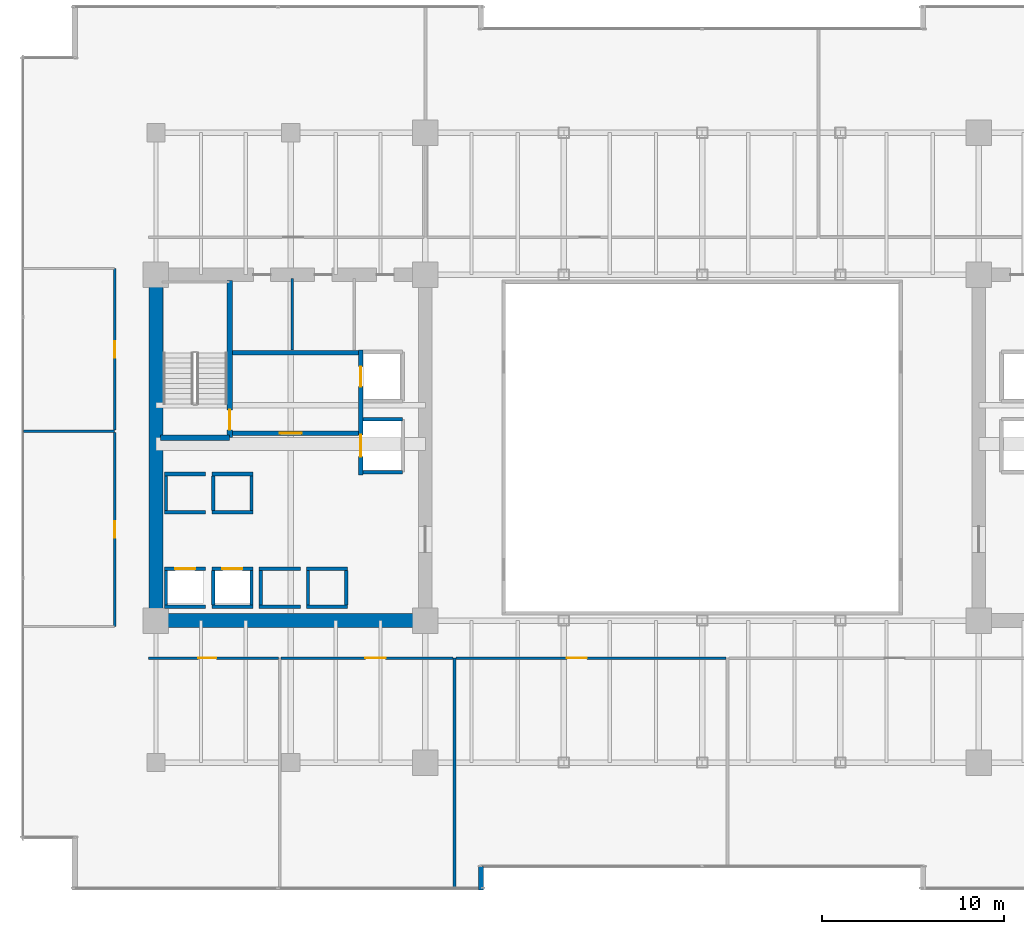
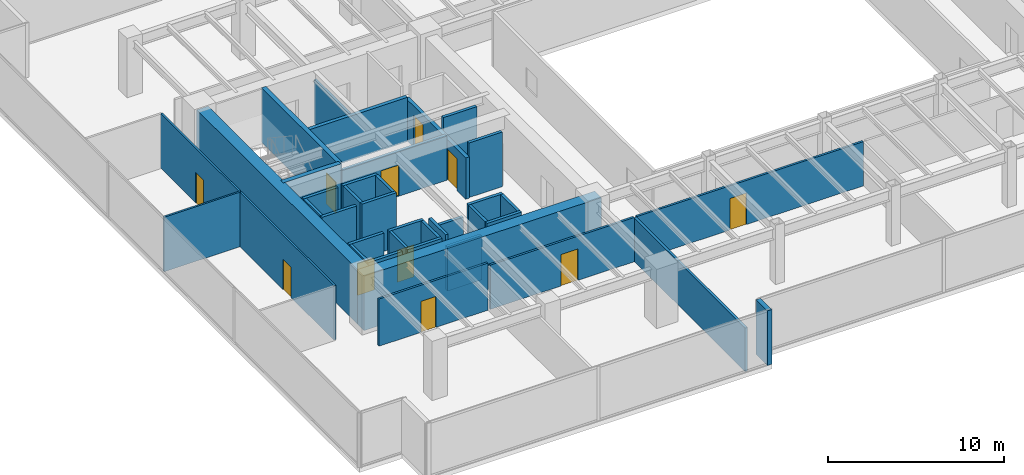
# One storey, part 29 of 35: 39 walls, 11 doors, 11 openings.
"""IFC4 building model written with IfcOpenShell, lengths in metres."""

from ifc_helpers import new_model, si_unit, direction, frame, frame_2d, origin, place, context, subcontext, project, spatial, rectangle, extrude, source, transform, mapped, material, layer, layer_set, type_object, type_shapes, element, fill, save


model = new_model("IFC4")

# Units and contexts
model_context = context("Model", 3, precision=1e-05, world=origin(), true_north=direction((0.0, 1.0)))
body_context = subcontext(model_context, "Body", "Model", "MODEL_VIEW")
ifc_project = project(units=[si_unit("LENGTHUNIT", "METRE"), si_unit("AREAUNIT", "SQUARE_METRE"), si_unit("VOLUMEUNIT", "CUBIC_METRE"), si_unit("PLANEANGLEUNIT", "RADIAN"), si_unit("MASSUNIT", "GRAM", prefix="KILO")], contexts=[model_context])

# Site, building, storey
site_placement = place(None, origin())
site = spatial("IfcSite", under=ifc_project, at=site_placement, CompositionType="ELEMENT")
building_placement = place(site_placement, origin())
building = spatial("IfcBuilding", under=site, at=building_placement, Name="Haelvirn Gate Laboratories", CompositionType="ELEMENT")
storey_placement = place(building_placement, frame((0.0, 0.0, 45.699951171875)))
storey = spatial("IfcBuildingStorey", under=building, at=storey_placement, Name="L11", CompositionType="ELEMENT", Elevation=45.699951171875)

# Walls
ifc_material_1 = material(Name="Thermally-broken bronze aluminium rainscreen & mineral wool", Category="aluminium")
ifc_layer_1 = layer(ifc_material_1, 0.280029296875, Name="EW-TERR-280")
ifc_layer_set_1 = layer_set([ifc_layer_1], Name="Thermally-broken bronze aluminium rainscreen & mineral wool")
wall_type_1 = type_object("IfcWallType", Name="EW-TERR-280", PredefinedType="STANDARD", material=ifc_layer_set_1)
wall_1_placement = place(storey_placement, frame((25.260009765625, 0.0, 0.0), z_axis=(0.0, 0.0, 1.0), x_axis=(0.0, 1.0, 0.0)))
element("IfcWall", 1, at=wall_1_placement, inside=storey, type_object=wall_type_1, Name="L11 Atrium Recess Bronze Return Wall 01", PredefinedType="STANDARD", context=body_context, shape_type="SweptSolid", body=[
    extrude(rectangle(XDim=1.2880859375, YDim=0.280029296875, at=frame_2d((0.64404296875, 0.0))), origin(), (0.0, 0.0, 1.0), 3.780029296875),
])
ifc_material_2 = material(Name="Double-layer acoustic gypsum laboratory partition", Category="gypsum")
ifc_layer_2 = layer(ifc_material_2, 0.159912109375, Name="IW-ACOUST-160")
ifc_layer_set_2 = layer_set([ifc_layer_2], Name="Double-layer acoustic gypsum laboratory partition")
wall_type_2 = type_object("IfcWallType", Name="IW-ACOUST-160", PredefinedType="PARTITIONING", material=ifc_layer_set_2)
wall_2_placement = place(storey_placement, frame((23.800048828125, 0.110107421875, 0.0), z_axis=(0.0, 0.0, 1.0), x_axis=(0.0, 1.0, 0.0)))
element("IfcWall", 2, at=wall_2_placement, inside=storey, type_object=wall_type_2, Name="L11 Interior Wall IW-L11-SDIV-02", PredefinedType="PARTITIONING", context=body_context, shape_type="SweptSolid", body=[
    extrude(rectangle(XDim=12.6298828125, YDim=0.159912109375, at=frame_2d((6.31494140625, 0.0))), origin(), (0.0, 0.0, 1.0), 3.01513671875),
])

# Wall, opening, door
ifc_material_3 = material(Name="Lightweight acoustic gypsum board partition", Category="gypsum")
ifc_layer_3 = layer(ifc_material_3, 0.1201171875, Name="IW-PART-120")
ifc_layer_set_3 = layer_set([ifc_layer_3], Name="Lightweight acoustic gypsum board partition")
wall_type_3 = type_object("IfcWallType", Name="IW-PART-120", PredefinedType="PARTITIONING", material=ifc_layer_set_3)
wall_3_placement = place(storey_placement, frame((5.1298828125, 14.465087890625, 0.0), z_axis=(0.0, 0.0, 1.0), x_axis=(0.0, 1.0, 0.0)))
wall_3 = element("IfcWall", 3, at=wall_3_placement, inside=storey, type_object=wall_type_3, Name="L11 Interior Wall IW-L11-WPASS-01", PredefinedType="PARTITIONING", context=body_context, shape_type="SweptSolid", body=[
    extrude(rectangle(XDim=10.6748046875, YDim=0.1201171875, at=frame_2d((5.33740234375, 0.0))), origin(), (0.0, 0.0, 1.0), 3.780029296875),
])
opening_1_placement = place(wall_3_placement, frame((4.887451171875, 0.0, 0.0)))
opening_1 = element("IfcOpeningElement", 4, at=opening_1_placement, cuts=wall_3, Name="Opening D4", PredefinedType="OPENING", context=body_context, shape_type="SweptSolid", body=[
    extrude(rectangle(XDim=0.89990234375, YDim=2.10009765625, at=frame_2d((0.449951171875, 1.050048828125))), frame((0.0, 0.070068359375, 0.0), z_axis=(0.0, -1.0, 0.0), x_axis=(1.0, 0.0, 0.0)), (0.0, 0.0, 1.0), 0.14013671875),
])
ifc_material_4 = material(Name="Glazed aluminium-framed write-up door", Category="aluminium")
door_type_1 = type_object("IfcDoorType", Name="DR-OFF-900", OperationType="NOTDEFINED", PredefinedType="DOOR", material=ifc_material_4)
shared_shape_1 = source(origin(), body_context, "Body", "SweptSolid", [
    extrude(rectangle(XDim=0.89990234375, YDim=2.10009765625, at=frame_2d((0.449951171875, 1.050048828125))), frame((0.0, 0.02490234375, 0.0), z_axis=(0.0, -1.0, 0.0), x_axis=(1.0, 0.0, 0.0)), (0.0, 0.0, 1.0), 0.050048828125),
])
type_shapes(door_type_1, [shared_shape_1])
door_1_placement = place(opening_1_placement, origin())
door_1 = element("IfcDoor", 5, at=door_1_placement, inside=storey, type_object=door_type_1, Name="L11 Researcher Break Pantry Door W1", OperationType="SINGLE_SWING_LEFT", OverallHeight=2.10009765625, OverallWidth=0.89990234375, PredefinedType="DOOR", context=body_context, shape_type="MappedRepresentation", body=[
    mapped(shared_shape_1, transform((0.0, 0.0, 0.0), scale=1.0)),
])
fill(opening_1, door_1)

# Wall
wall_4_placement = place(storey_placement, frame((0.110107421875, 25.199951171875, 0.0), z_axis=(0.0, 0.0, 1.0), x_axis=(1.0, 0.0, 0.0)))
element("IfcWall", 6, at=wall_4_placement, inside=storey, type_object=wall_type_3, Name="L11 Interior Wall IW-L11-WDIV-01", PredefinedType="PARTITIONING", context=body_context, shape_type="SweptSolid", body=[
    extrude(rectangle(XDim=5.019775390625, YDim=0.1201171875, at=frame_2d((2.509765625, 0.0))), origin(), (0.0, 0.0, 1.0), 3.780029296875),
])

# Wall, opening, door
wall_5_placement = place(storey_placement, frame((5.1298828125, 25.260009765625, 0.0), z_axis=(0.0, 0.0, 1.0), x_axis=(0.0, 1.0, 0.0)))
wall_5 = element("IfcWall", 7, at=wall_5_placement, inside=storey, type_object=wall_type_3, Name="L11 Interior Wall IW-L11-WPASS-02", PredefinedType="PARTITIONING", context=body_context, shape_type="SweptSolid", body=[
    extrude(rectangle(XDim=8.875, YDim=0.1201171875, at=frame_2d((4.4375, 0.0))), origin(), (0.0, 0.0, 1.0), 3.780029296875),
])
opening_2_placement = place(wall_5_placement, frame((3.987548828125, 0.0, 0.0)))
opening_2 = element("IfcOpeningElement", 8, at=opening_2_placement, cuts=wall_5, Name="Opening D4", PredefinedType="OPENING", context=body_context, shape_type="SweptSolid", body=[
    extrude(rectangle(XDim=0.89990234375, YDim=2.10009765625, at=frame_2d((0.449951171875, 1.050048828125))), frame((0.0, 0.070068359375, 0.0), z_axis=(0.0, -1.0, 0.0), x_axis=(1.0, 0.0, 0.0)), (0.0, 0.0, 1.0), 0.14013671875),
])
door_2_placement = place(opening_2_placement, origin())
door_2 = element("IfcDoor", 9, at=door_2_placement, inside=storey, type_object=door_type_1, Name="L11 Floor Hydration & Tea Servery Door W2", OperationType="SINGLE_SWING_RIGHT", OverallHeight=2.10009765625, OverallWidth=0.89990234375, PredefinedType="DOOR", context=body_context, shape_type="MappedRepresentation", body=[
    mapped(shared_shape_1, transform((0.0, 0.0, 0.0), scale=1.0)),
])
fill(opening_2, door_2)

ifc_material_5 = material(Name="Acoustic mineral-wool gypsum board partition", Category="gypsum")
ifc_layer_4 = layer(ifc_material_5, 0.139892578125, Name="IW-PART-140")
ifc_layer_set_4 = layer_set([ifc_layer_4], Name="Acoustic mineral-wool gypsum board partition")
wall_type_4 = type_object("IfcWallType", Name="IW-PART-140", PredefinedType="PARTITIONING", material=ifc_layer_set_4)
wall_6_placement = place(storey_placement, frame((6.97998046875, 12.739990234375, 0.0), z_axis=(0.0, 0.0, 1.0), x_axis=(1.0, 0.0, 0.0)))
wall_6 = element("IfcWall", 10, at=wall_6_placement, inside=storey, type_object=wall_type_4, Name="L11 Interior Wall IW-L11-SCORR-01", PredefinedType="PARTITIONING", context=body_context, shape_type="SweptSolid", body=[
    extrude(rectangle(XDim=7.14013671875, YDim=0.139892578125, at=frame_2d((3.570068359375, 0.0))), origin(), (0.0, 0.0, 1.0), 3.26513671875),
])
opening_3_placement = place(wall_6_placement, frame((2.74365234375, 0.0, 0.0)))
opening_3 = element("IfcOpeningElement", 11, at=opening_3_placement, cuts=wall_6, Name="Opening D2", PredefinedType="OPENING", context=body_context, shape_type="SweptSolid", body=[
    extrude(rectangle(XDim=1.0, YDim=2.14990234375, at=frame_2d((0.5, 1.074951171875))), frame((0.0, 0.080078125, 0.0), z_axis=(0.0, -1.0, 0.0), x_axis=(1.0, 0.0, 0.0)), (0.0, 0.0, 1.0), 0.159912109375),
])
ifc_material_6 = material(Name="Acoustic solid-core timber suite door", Category="wood")
door_type_2 = type_object("IfcDoorType", Name="DR-INT-1000", OperationType="NOTDEFINED", PredefinedType="DOOR", material=ifc_material_6)
shared_shape_2 = source(origin(), body_context, "Body", "SweptSolid", [
    extrude(rectangle(XDim=1.0, YDim=2.14990234375, at=frame_2d((0.5, 1.074951171875))), frame((0.0, 0.02490234375, 0.0), z_axis=(0.0, -1.0, 0.0), x_axis=(1.0, 0.0, 0.0)), (0.0, 0.0, 1.0), 0.050048828125),
])
type_shapes(door_type_2, [shared_shape_2])
door_3_placement = place(opening_3_placement, origin())
door_3 = element("IfcDoor", 12, at=door_3_placement, inside=storey, type_object=door_type_2, Name="L11 Translational Data Office Door S1", OperationType="SINGLE_SWING_RIGHT", OverallHeight=2.14990234375, OverallWidth=1.0, PredefinedType="DOOR", context=body_context, shape_type="MappedRepresentation", body=[
    mapped(shared_shape_2, transform((0.0, 0.0, 0.0), scale=1.0)),
])
fill(opening_3, door_3)

wall_7_placement = place(storey_placement, frame((14.280029296875, 12.739990234375, 0.0), z_axis=(0.0, 0.0, 1.0), x_axis=(1.0, 0.0, 0.0)))
wall_7 = element("IfcWall", 13, at=wall_7_placement, inside=storey, type_object=wall_type_4, Name="L11 Interior Wall IW-L11-SCORR-02", PredefinedType="PARTITIONING", context=body_context, shape_type="SweptSolid", body=[
    extrude(rectangle(XDim=9.43994140625, YDim=0.139892578125, at=frame_2d((4.719970703125, 0.0))), origin(), (0.0, 0.0, 1.0), 3.06494140625),
])
opening_4_placement = place(wall_7_placement, frame((4.62841796875, 0.0, 0.0)))
opening_4 = element("IfcOpeningElement", 14, at=opening_4_placement, cuts=wall_7, Name="Opening D1", PredefinedType="OPENING", context=body_context, shape_type="SweptSolid", body=[
    extrude(rectangle(XDim=1.10009765625, YDim=2.179931640625, at=frame_2d((0.550048828125, 1.08984375))), frame((0.0, 0.080078125, 0.0), z_axis=(0.0, -1.0, 0.0), x_axis=(1.0, 0.0, 0.0)), (0.0, 0.0, 1.0), 0.159912109375),
])
ifc_material_7 = material(Name="Vision-panel acoustic solid-core timber lab door", Category="wood")
door_type_3 = type_object("IfcDoorType", Name="DR-LAB-1100", OperationType="NOTDEFINED", PredefinedType="DOOR", material=ifc_material_7)
shared_shape_3 = source(origin(), body_context, "Body", "SweptSolid", [
    extrude(rectangle(XDim=1.10009765625, YDim=2.179931640625, at=frame_2d((0.550048828125, 1.08984375))), frame((0.0, 0.02490234375, 0.0), z_axis=(0.0, -1.0, 0.0), x_axis=(1.0, 0.0, 0.0)), (0.0, 0.0, 1.0), 0.050048828125),
])
type_shapes(door_type_3, [shared_shape_3])
door_4_placement = place(opening_4_placement, origin())
door_4 = element("IfcDoor", 15, at=door_4_placement, inside=storey, type_object=door_type_3, Name="L11 Computational Write-Up Office Door S2", OperationType="SINGLE_SWING_LEFT", OverallHeight=2.179931640625, OverallWidth=1.10009765625, PredefinedType="DOOR", context=body_context, shape_type="MappedRepresentation", body=[
    mapped(shared_shape_3, transform((0.0, 0.0, 0.0), scale=1.0)),
])
fill(opening_4, door_4)

wall_8_placement = place(storey_placement, frame((23.8798828125, 12.739990234375, 0.0), z_axis=(0.0, 0.0, 1.0), x_axis=(1.0, 0.0, 0.0)))
wall_8 = element("IfcWall", 16, at=wall_8_placement, inside=storey, type_object=wall_type_4, Name="L11 Interior Wall IW-L11-SCORR-03", PredefinedType="PARTITIONING", context=body_context, shape_type="SweptSolid", body=[
    extrude(rectangle(XDim=14.840087890625, YDim=0.139892578125, at=frame_2d((7.419921875, 0.0))), origin(), (0.0, 0.0, 1.0), 3.06494140625),
])
opening_5_placement = place(wall_8_placement, frame((6.087646484375, 0.0, 0.0)))
opening_5 = element("IfcOpeningElement", 17, at=opening_5_placement, cuts=wall_8, Name="Opening D1", PredefinedType="OPENING", context=body_context, shape_type="SweptSolid", body=[
    extrude(rectangle(XDim=1.10009765625, YDim=2.179931640625, at=frame_2d((0.550048828125, 1.08984375))), frame((0.0, 0.080078125, 0.0), z_axis=(0.0, -1.0, 0.0), x_axis=(1.0, 0.0, 0.0)), (0.0, 0.0, 1.0), 0.159912109375),
])
door_5_placement = place(opening_5_placement, origin())
door_5 = element("IfcDoor", 18, at=door_5_placement, inside=storey, type_object=door_type_3, Name="L11 Bioinformatics Dry-Lab Workspace Door S3", OperationType="SINGLE_SWING_RIGHT", OverallHeight=2.179931640625, OverallWidth=1.10009765625, PredefinedType="DOOR", context=body_context, shape_type="MappedRepresentation", body=[
    mapped(shared_shape_3, transform((0.0, 0.0, 0.0), scale=1.0)),
])
fill(opening_5, door_5)

# Walls
ifc_material_8 = material(Name="Cement-board restroom plumbing chase wall", Category="gypsum")
ifc_layer_5 = layer(ifc_material_8, 0.155029296875, Name="IW-PLUMB-160")
ifc_layer_set_5 = layer_set([ifc_layer_5], Name="Cement-board restroom plumbing chase wall")
wall_type_5 = type_object("IfcWallType", Name="IW-PLUMB-160", PredefinedType="PLUMBINGWALL", material=ifc_layer_set_5)
wall_9_placement = place(storey_placement, frame((14.889892578125, 29.64990234375, 0.0), z_axis=(0.0, 0.0, 1.0), x_axis=(0.0, 1.0, 0.0)))
element("IfcWall", 19, at=wall_9_placement, inside=storey, type_object=wall_type_5, Name="L11 Interior Wall IW-L11-W-CDIV-1", PredefinedType="PLUMBINGWALL", context=body_context, shape_type="SweptSolid", body=[
    extrude(rectangle(XDim=3.93017578125, YDim=0.155029296875, at=frame_2d((1.965087890625, 0.0))), origin(), (0.0, 0.0, 1.0), 3.06494140625),
])
ifc_material_9 = material(Name="Concrete C40/50", Category="concrete")
ifc_layer_6 = layer(ifc_material_9, 0.179931640625, Name="IW-SHAFT-180")
ifc_layer_set_6 = layer_set([ifc_layer_6], Name="Concrete C40/50")
wall_type_6 = type_object("IfcWallType", Name="IW-SHAFT-180", PredefinedType="SOLIDWALL", material=ifc_layer_set_6)
for number, where, z_axis, x_axis, name in (
    (20, (7.949951171875, 15.64990234375, 0.0), (0.0, 0.0, 1.0), (0.0, 1.0, 0.0), "L11 Interior Wall IW-L11-PL1-SD"),
    (21, (10.550048828125, 15.64990234375, 0.0), (0.0, 0.0, 1.0), (0.0, 1.0, 0.0), "L11 Interior Wall IW-L11-PL2-SD"),
    (22, (12.64990234375, 15.64990234375, 0.0), (0.0, 0.0, 1.0), (0.0, 1.0, 0.0), "L11 Interior Wall IW-L11-PL2-SDE"),
    (23, (13.14990234375, 15.64990234375, 0.0), (0.0, 0.0, 1.0), (0.0, 1.0, 0.0), "L11 Interior Wall IW-L11-PL5-SD"),
    (24, (15.75, 15.64990234375, 0.0), (0.0, 0.0, 1.0), (0.0, 1.0, 0.0), "L11 Interior Wall IW-L11-PL6-SD"),
    (25, (17.85009765625, 15.64990234375, 0.0), (0.0, 0.0, 1.0), (0.0, 1.0, 0.0), "L11 Interior Wall IW-L11-PL6-SDE"),
):
    element("IfcWall", number, at=place(storey_placement, frame(where, z_axis=z_axis, x_axis=x_axis)), inside=storey, type_object=wall_type_6, Name=name, PredefinedType="SOLIDWALL", context=body_context, shape_type="SweptSolid", body=[
        extrude(rectangle(XDim=1.900146484375, YDim=0.179931640625, at=frame_2d((0.9501953125, 0.0))), origin(), (0.0, 0.0, 1.0), 3.780029296875),
    ])
for number, where, z_axis, x_axis, name in (
    (26, (7.949951171875, 20.85009765625, 0.0), (0.0, 0.0, 1.0), (0.0, 1.0, 0.0), "L11 Interior Wall IW-L11-PL9-SD"),
    (27, (10.550048828125, 20.85009765625, 0.0), (0.0, 0.0, 1.0), (0.0, 1.0, 0.0), "L11 Interior Wall IW-L11-PL10-SD"),
    (28, (12.64990234375, 20.85009765625, 0.0), (0.0, 0.0, 1.0), (0.0, 1.0, 0.0), "L11 Interior Wall IW-L11-PL10-SDE"),
):
    element("IfcWall", number, at=place(storey_placement, frame(where, z_axis=z_axis, x_axis=x_axis)), inside=storey, type_object=wall_type_6, Name=name, PredefinedType="SOLIDWALL", context=body_context, shape_type="SweptSolid", body=[
        extrude(rectangle(XDim=1.89990234375, YDim=0.179931640625, at=frame_2d((0.949951171875, 0.0))), origin(), (0.0, 0.0, 1.0), 3.780029296875),
    ])

# Wall, opening, door
ifc_layer_7 = layer(ifc_material_9, 0.199951171875, Name="IW-SHAFT-200")
ifc_layer_set_7 = layer_set([ifc_layer_7], Name="Concrete C40/50")
wall_type_7 = type_object("IfcWallType", Name="IW-SHAFT-200", PredefinedType="SOLIDWALL", material=ifc_layer_set_7)
wall_10_placement = place(storey_placement, frame((7.8701171875, 17.64990234375, 0.0), z_axis=(0.0, 0.0, 1.0), x_axis=(1.0, 0.0, 0.0)))
wall_10 = element("IfcWall", 29, at=wall_10_placement, inside=storey, type_object=wall_type_7, Name="L11 Interior Wall IW-L11-PL1-FR", PredefinedType="SOLIDWALL", context=body_context, shape_type="SweptSolid", body=[
    extrude(rectangle(XDim=2.259765625, YDim=0.199951171875, at=frame_2d((1.1298828125, 0.0))), origin(), (0.0, 0.0, 1.0), 3.780029296875),
])
opening_6_placement = place(wall_10_placement, frame((0.580078125, 0.0, 0.0)))
opening_6 = element("IfcOpeningElement", 30, at=opening_6_placement, cuts=wall_10, Name="Opening LD2", PredefinedType="OPENING", context=body_context, shape_type="SweptSolid", body=[
    extrude(rectangle(XDim=1.10009765625, YDim=2.219970703125, at=frame_2d((0.550048828125, 1.10986328125))), frame((0.0, 0.10986328125, 0.0), z_axis=(0.0, -1.0, 0.0), x_axis=(1.0, 0.0, 0.0)), (0.0, 0.0, 1.0), 0.219970703125),
])
ifc_material_10 = material(Name="Bronze stainless 316L sliding lift landing door")
door_type_4 = type_object("IfcDoorType", Name="DR-LD-1100", OperationType="NOTDEFINED", PredefinedType="USERDEFINED", material=ifc_material_10)
shared_shape_4 = source(origin(), body_context, "Body", "SweptSolid", [
    extrude(rectangle(XDim=1.10009765625, YDim=2.219970703125, at=frame_2d((0.550048828125, 1.10986328125))), frame((0.0, 0.02490234375, 0.0), z_axis=(0.0, -1.0, 0.0), x_axis=(1.0, 0.0, 0.0)), (0.0, 0.0, 1.0), 0.050048828125),
])
type_shapes(door_type_4, [shared_shape_4])
door_6_placement = place(opening_6_placement, origin())
door_6 = element("IfcDoor", 31, at=door_6_placement, inside=storey, type_object=door_type_4, Name="L11 Passenger Lift PL1 Landing Door", ObjectType="LANDING_DOOR", OperationType="SLIDING_TO_LEFT", OverallHeight=2.219970703125, OverallWidth=1.10009765625, PredefinedType="USERDEFINED", context=body_context, shape_type="MappedRepresentation", body=[
    mapped(shared_shape_4, transform((0.0, 0.0, 0.0), scale=1.0)),
])
fill(opening_6, door_6)

# Wall
wall_11_placement = place(storey_placement, frame((7.8701171875, 15.550048828125, 0.0), z_axis=(0.0, 0.0, 1.0), x_axis=(1.0, 0.0, 0.0)))
element("IfcWall", 32, at=wall_11_placement, inside=storey, type_object=wall_type_7, Name="L11 Interior Wall IW-L11-PL1-BK", PredefinedType="SOLIDWALL", context=body_context, shape_type="SweptSolid", body=[
    extrude(rectangle(XDim=2.259765625, YDim=0.199951171875, at=frame_2d((1.1298828125, 0.0))), origin(), (0.0, 0.0, 1.0), 3.780029296875),
])

# Wall, opening, door
wall_12_placement = place(storey_placement, frame((10.469970703125, 17.64990234375, 0.0), z_axis=(0.0, 0.0, 1.0), x_axis=(1.0, 0.0, 0.0)))
wall_12 = element("IfcWall", 33, at=wall_12_placement, inside=storey, type_object=wall_type_7, Name="L11 Interior Wall IW-L11-PL2-FR", PredefinedType="SOLIDWALL", context=body_context, shape_type="SweptSolid", body=[
    extrude(rectangle(XDim=2.260009765625, YDim=0.199951171875, at=frame_2d((1.1298828125, 0.0))), origin(), (0.0, 0.0, 1.0), 3.780029296875),
])
opening_7_placement = place(wall_12_placement, frame((0.580078125, 0.0, 0.0)))
opening_7 = element("IfcOpeningElement", 34, at=opening_7_placement, cuts=wall_12, Name="Opening LD2", PredefinedType="OPENING", context=body_context, shape_type="SweptSolid", body=[
    extrude(rectangle(XDim=1.10009765625, YDim=2.219970703125, at=frame_2d((0.550048828125, 1.10986328125))), frame((0.0, 0.10986328125, 0.0), z_axis=(0.0, -1.0, 0.0), x_axis=(1.0, 0.0, 0.0)), (0.0, 0.0, 1.0), 0.219970703125),
])
door_7_placement = place(opening_7_placement, origin())
door_7 = element("IfcDoor", 35, at=door_7_placement, inside=storey, type_object=door_type_4, Name="L11 Passenger Lift PL2 Landing Door", ObjectType="LANDING_DOOR", OperationType="SLIDING_TO_RIGHT", OverallHeight=2.219970703125, OverallWidth=1.10009765625, PredefinedType="USERDEFINED", context=body_context, shape_type="MappedRepresentation", body=[
    mapped(shared_shape_4, transform((0.0, 0.0, 0.0), scale=1.0)),
])
fill(opening_7, door_7)

# Walls
wall_13_placement = place(storey_placement, frame((10.469970703125, 15.550048828125, 0.0), z_axis=(0.0, 0.0, 1.0), x_axis=(1.0, 0.0, 0.0)))
element("IfcWall", 36, at=wall_13_placement, inside=storey, type_object=wall_type_7, Name="L11 Interior Wall IW-L11-PL2-BK", PredefinedType="SOLIDWALL", context=body_context, shape_type="SweptSolid", body=[
    extrude(rectangle(XDim=2.260009765625, YDim=0.199951171875, at=frame_2d((1.1298828125, 0.0))), origin(), (0.0, 0.0, 1.0), 3.780029296875),
])
for number, where, z_axis, x_axis, name in (
    (37, (13.070068359375, 17.64990234375, 0.0), (0.0, 0.0, 1.0), (1.0, 0.0, 0.0), "L11 Interior Wall IW-L11-PL5-FR"),
    (38, (13.070068359375, 15.550048828125, 0.0), (0.0, 0.0, 1.0), (1.0, 0.0, 0.0), "L11 Interior Wall IW-L11-PL5-BK"),
):
    element("IfcWall", number, at=place(storey_placement, frame(where, z_axis=z_axis, x_axis=x_axis)), inside=storey, type_object=wall_type_7, Name=name, PredefinedType="SOLIDWALL", context=body_context, shape_type="SweptSolid", body=[
        extrude(rectangle(XDim=2.260009765625, YDim=0.199951171875, at=frame_2d((1.1298828125, 0.0))), origin(), (0.0, 0.0, 1.0), 3.06494140625),
    ])
for number, where, z_axis, x_axis, name in (
    (39, (15.669921875, 17.64990234375, 0.0), (0.0, 0.0, 1.0), (1.0, 0.0, 0.0), "L11 Interior Wall IW-L11-PL6-FR"),
    (40, (15.669921875, 15.550048828125, 0.0), (0.0, 0.0, 1.0), (1.0, 0.0, 0.0), "L11 Interior Wall IW-L11-PL6-BK"),
):
    element("IfcWall", number, at=place(storey_placement, frame(where, z_axis=z_axis, x_axis=x_axis)), inside=storey, type_object=wall_type_7, Name=name, PredefinedType="SOLIDWALL", context=body_context, shape_type="SweptSolid", body=[
        extrude(rectangle(XDim=2.260009765625, YDim=0.199951171875, at=frame_2d((1.1298828125, 0.0))), origin(), (0.0, 0.0, 1.0), 3.780029296875),
    ])
for number, where, z_axis, x_axis, name in (
    (41, (7.8701171875, 20.75, 0.0), (0.0, 0.0, 1.0), (1.0, 0.0, 0.0), "L11 Interior Wall IW-L11-PL9-FR"),
    (42, (7.8701171875, 22.85009765625, 0.0), (0.0, 0.0, 1.0), (1.0, 0.0, 0.0), "L11 Interior Wall IW-L11-PL9-BK"),
):
    element("IfcWall", number, at=place(storey_placement, frame(where, z_axis=z_axis, x_axis=x_axis)), inside=storey, type_object=wall_type_7, Name=name, PredefinedType="SOLIDWALL", context=body_context, shape_type="SweptSolid", body=[
        extrude(rectangle(XDim=2.259765625, YDim=0.199951171875, at=frame_2d((1.1298828125, 0.0))), origin(), (0.0, 0.0, 1.0), 3.780029296875),
    ])
for number, where, z_axis, x_axis, name in (
    (43, (10.469970703125, 20.75, 0.0), (0.0, 0.0, 1.0), (1.0, 0.0, 0.0), "L11 Interior Wall IW-L11-PL10-FR"),
    (44, (10.469970703125, 22.85009765625, 0.0), (0.0, 0.0, 1.0), (1.0, 0.0, 0.0), "L11 Interior Wall IW-L11-PL10-BK"),
):
    element("IfcWall", number, at=place(storey_placement, frame(where, z_axis=z_axis, x_axis=x_axis)), inside=storey, type_object=wall_type_7, Name=name, PredefinedType="SOLIDWALL", context=body_context, shape_type="SweptSolid", body=[
        extrude(rectangle(XDim=2.260009765625, YDim=0.199951171875, at=frame_2d((1.1298828125, 0.0))), origin(), (0.0, 0.0, 1.0), 3.780029296875),
    ])
for number, where, z_axis, x_axis, name in (
    (45, (18.760009765625, 25.85009765625, 0.0), (0.0, 0.0, 1.0), (1.0, 0.0, 0.0), "L11 Interior Wall IW-L11-SL1-N"),
    (46, (18.760009765625, 22.949951171875, 0.0), (0.0, 0.0, 1.0), (1.0, 0.0, 0.0), "L11 Interior Wall IW-L11-SL1-S"),
):
    element("IfcWall", number, at=place(storey_placement, frame(where, z_axis=z_axis, x_axis=x_axis)), inside=storey, type_object=wall_type_7, Name=name, PredefinedType="SOLIDWALL", context=body_context, shape_type="SweptSolid", body=[
        extrude(rectangle(XDim=2.18994140625, YDim=0.199951171875, at=frame_2d((1.094970703125, 0.0))), origin(), (0.0, 0.0, 1.0), 3.780029296875),
    ])

# Wall, opening, door
ifc_layer_8 = layer(ifc_material_9, 0.239990234375, Name="IW-SHAFT-240")
ifc_layer_set_8 = layer_set([ifc_layer_8], Name="Concrete C40/50")
wall_type_8 = type_object("IfcWallType", Name="IW-SHAFT-240", PredefinedType="SOLIDWALL", material=ifc_layer_set_8)
wall_14_placement = place(storey_placement, frame((11.60009765625, 25.080078125, 0.0), z_axis=(0.0, 0.0, 1.0), x_axis=(1.0, 0.0, 0.0)))
wall_14 = element("IfcWall", 47, at=wall_14_placement, inside=storey, type_object=wall_type_8, Name="L11 Interior Wall IW-L11-W-FF-S", PredefinedType="SOLIDWALL", context=body_context, shape_type="SweptSolid", body=[
    extrude(rectangle(XDim=6.919921875, YDim=0.239990234375, at=frame_2d((3.4599609375, 0.0))), origin(), (0.0, 0.0, 1.0), 3.06494140625),
])
opening_8_placement = place(wall_14_placement, frame((2.60009765625, 0.0, 0.0)))
opening_8 = element("IfcOpeningElement", 48, at=opening_8_placement, cuts=wall_14, Name="Opening FD2", PredefinedType="OPENING", context=body_context, shape_type="SweptSolid", body=[
    extrude(rectangle(XDim=1.199951171875, YDim=2.159912109375, at=frame_2d((0.60009765625, 1.080078125))), frame((0.0, 0.1298828125, 0.0), z_axis=(0.0, -1.0, 0.0), x_axis=(1.0, 0.0, 0.0)), (0.0, 0.0, 1.0), 0.260009765625),
])
ifc_material_11 = material(Name="Fire-rated steel SM355 compartment door", Category="steel")
door_type_5 = type_object("IfcDoorType", Name="DR-FD-1200", OperationType="NOTDEFINED", PredefinedType="DOOR", material=ifc_material_11)
shared_shape_5 = source(origin(), body_context, "Body", "SweptSolid", [
    extrude(rectangle(XDim=1.199951171875, YDim=2.159912109375, at=frame_2d((0.60009765625, 1.080078125))), frame((0.0, 0.02490234375, 0.0), z_axis=(0.0, -1.0, 0.0), x_axis=(1.0, 0.0, 0.0)), (0.0, 0.0, 1.0), 0.050048828125),
])
type_shapes(door_type_5, [shared_shape_5])
door_8_placement = place(opening_8_placement, origin())
door_8 = element("IfcDoor", 49, at=door_8_placement, inside=storey, type_object=door_type_5, Name="L11 West Firefighting Lobby Door", OperationType="SINGLE_SWING_RIGHT", OverallHeight=2.159912109375, OverallWidth=1.199951171875, PredefinedType="DOOR", context=body_context, shape_type="MappedRepresentation", body=[
    mapped(shared_shape_5, transform((0.0, 0.0, 0.0), scale=1.0)),
])
fill(opening_8, door_8)

# Wall
wall_15_placement = place(storey_placement, frame((11.60009765625, 29.52001953125, 0.0), z_axis=(0.0, 0.0, 1.0), x_axis=(1.0, 0.0, 0.0)))
element("IfcWall", 50, at=wall_15_placement, inside=storey, type_object=wall_type_8, Name="L11 Interior Wall IW-L11-W-FF-N", PredefinedType="SOLIDWALL", context=body_context, shape_type="SweptSolid", body=[
    extrude(rectangle(XDim=6.919921875, YDim=0.239990234375, at=frame_2d((3.4599609375, 0.0))), origin(), (0.0, 0.0, 1.0), 3.06494140625),
])

# Wall, openings, doors
wall_16_placement = place(storey_placement, frame((18.639892578125, 22.800048828125, 0.0), z_axis=(0.0, 0.0, 1.0), x_axis=(0.0, 1.0, 0.0)))
wall_16 = element("IfcWall", 51, at=wall_16_placement, inside=storey, type_object=wall_type_8, Name="L11 Interior Wall IW-L11-W-FF-E", PredefinedType="SOLIDWALL", context=body_context, shape_type="SweptSolid", body=[
    extrude(rectangle(XDim=6.849853515625, YDim=0.239990234375, at=frame_2d((3.4248046875, 0.0))), origin(), (0.0, 0.0, 1.0), 2.864990234375),
])
opening_9_placement = place(wall_16_placement, frame((4.85009765625, 0.0, 0.0)))
opening_9 = element("IfcOpeningElement", 52, at=opening_9_placement, cuts=wall_16, Name="Opening LD2", PredefinedType="OPENING", context=body_context, shape_type="SweptSolid", body=[
    extrude(rectangle(XDim=1.10009765625, YDim=2.219970703125, at=frame_2d((0.550048828125, 1.10986328125))), frame((0.0, 0.1298828125, 0.0), z_axis=(0.0, -1.0, 0.0), x_axis=(1.0, 0.0, 0.0)), (0.0, 0.0, 1.0), 0.260009765625),
])
opening_10_placement = place(wall_16_placement, frame((1.0, 0.0, 0.0)))
opening_10 = element("IfcOpeningElement", 53, at=opening_10_placement, cuts=wall_16, Name="Opening LD1", PredefinedType="OPENING", context=body_context, shape_type="SweptSolid", body=[
    extrude(rectangle(XDim=1.199951171875, YDim=2.219970703125, at=frame_2d((0.60009765625, 1.10986328125))), frame((0.0, 0.1298828125, 0.0), z_axis=(0.0, -1.0, 0.0), x_axis=(1.0, 0.0, 0.0)), (0.0, 0.0, 1.0), 0.260009765625),
])
door_9_placement = place(opening_9_placement, origin())
door_9 = element("IfcDoor", 54, at=door_9_placement, inside=storey, type_object=door_type_4, Name="L11 Firefighting Lift FL1 Landing Door", ObjectType="LANDING_DOOR", OperationType="SLIDING_TO_LEFT", OverallHeight=2.219970703125, OverallWidth=1.10009765625, PredefinedType="USERDEFINED", context=body_context, shape_type="MappedRepresentation", body=[
    mapped(shared_shape_4, transform((0.0, 0.0, 0.0), scale=1.0)),
])
fill(opening_9, door_9)
ifc_material_12 = material(Name="Stainless steel 316L sliding goods landing door", Category="steel")
door_type_6 = type_object("IfcDoorType", Name="DR-LD-1200", OperationType="NOTDEFINED", PredefinedType="USERDEFINED", material=ifc_material_12)
shared_shape_6 = source(origin(), body_context, "Body", "SweptSolid", [
    extrude(rectangle(XDim=1.199951171875, YDim=2.219970703125, at=frame_2d((0.60009765625, 1.10986328125))), frame((0.0, 0.02490234375, 0.0), z_axis=(0.0, -1.0, 0.0), x_axis=(1.0, 0.0, 0.0)), (0.0, 0.0, 1.0), 0.050048828125),
])
type_shapes(door_type_6, [shared_shape_6])
door_10_placement = place(opening_10_placement, origin())
door_10 = element("IfcDoor", 55, at=door_10_placement, inside=storey, type_object=door_type_6, Name="L11 Service Lift SL1 Landing Door", ObjectType="LANDING_DOOR", OperationType="SLIDING_TO_RIGHT", OverallHeight=2.219970703125, OverallWidth=1.199951171875, PredefinedType="USERDEFINED", context=body_context, shape_type="MappedRepresentation", body=[
    mapped(shared_shape_6, transform((0.0, 0.0, 0.0), scale=1.0)),
])
fill(opening_10, door_10)

# Walls
ifc_material_13 = material(Name="Concrete C70/85", Category="concrete")
ifc_layer_9 = layer(ifc_material_13, 0.75, Name="SW-CORE-750")
ifc_layer_set_9 = layer_set([ifc_layer_9], Name="Concrete C70/85")
wall_type_9 = type_object("IfcWallType", Name="SW-CORE-750", PredefinedType="SHEAR", material=ifc_layer_set_9)
wall_17_placement = place(storey_placement, frame((7.02490234375, 14.800048828125, 0.0), z_axis=(0.0, 0.0, 1.0), x_axis=(1.0, 0.0, 0.0)))
element("IfcWall", 56, at=wall_17_placement, inside=storey, type_object=wall_type_9, Name="L11 W Core Shear Wall S", PredefinedType="SHEAR", context=body_context, shape_type="SweptSolid", body=[
    extrude(rectangle(XDim=15.550048828125, YDim=0.75, at=frame_2d((7.77490234375, 0.0))), origin(), (0.0, 0.0, 1.0), 3.780029296875),
])
wall_18_placement = place(storey_placement, frame((7.39990234375, 15.175048828125, 0.0), z_axis=(0.0, 0.0, 1.0), x_axis=(0.0, 1.0, 0.0)))
element("IfcWall", 57, at=wall_18_placement, inside=storey, type_object=wall_type_9, Name="L11 W Core Shear Wall W", PredefinedType="SHEAR", context=body_context, shape_type="SweptSolid", body=[
    extrude(rectangle(XDim=18.25, YDim=0.75, at=frame_2d((9.125, 0.0))), origin(), (0.0, 0.0, 1.0), 3.780029296875),
])

# Wall, opening, door
ifc_material_14 = material(Name="Concrete C50/60", Category="concrete")
ifc_layer_10 = layer(ifc_material_14, 0.300048828125, Name="SW-STAIR-300")
ifc_layer_set_10 = layer_set([ifc_layer_10], Name="Concrete C50/60")
wall_type_10 = type_object("IfcWallType", Name="SW-STAIR-300", PredefinedType="SHEAR", material=ifc_layer_set_10)
wall_19_placement = place(storey_placement, frame((11.449951171875, 24.85009765625, 0.0), z_axis=(0.0, 0.0, 1.0), x_axis=(0.0, 1.0, 0.0)))
wall_19 = element("IfcWall", 58, at=wall_19_placement, inside=storey, type_object=wall_type_10, Name="L11 W Core Stair Shaft Structural Wall IN", PredefinedType="SHEAR", context=body_context, shape_type="SweptSolid", body=[
    extrude(rectangle(XDim=8.6298828125, YDim=0.300048828125, at=frame_2d((4.31494140625, 0.0))), origin(), (0.0, 0.0, 1.0), 3.780029296875),
])
opening_11_placement = place(wall_19_placement, frame((0.419921875, 0.0, 0.0)))
opening_11 = element("IfcOpeningElement", 59, at=opening_11_placement, cuts=wall_19, Name="Opening FD3", PredefinedType="OPENING", context=body_context, shape_type="SweptSolid", body=[
    extrude(rectangle(XDim=1.10009765625, YDim=2.14990234375, at=frame_2d((0.550048828125, 1.074951171875))), frame((0.0, 0.16015625, 0.0), z_axis=(0.0, -1.0, 0.0), x_axis=(1.0, 0.0, 0.0)), (0.0, 0.0, 1.0), 0.320068359375),
])
ifc_material_15 = material(Name="Fire-rated steel SM355 escape stair door", Category="steel")
door_type_7 = type_object("IfcDoorType", Name="DR-FD-1100", OperationType="NOTDEFINED", PredefinedType="DOOR", material=ifc_material_15)
shared_shape_7 = source(origin(), body_context, "Body", "SweptSolid", [
    extrude(rectangle(XDim=1.10009765625, YDim=2.14990234375, at=frame_2d((0.550048828125, 1.074951171875))), frame((0.0, 0.02490234375, 0.0), z_axis=(0.0, -1.0, 0.0), x_axis=(1.0, 0.0, 0.0)), (0.0, 0.0, 1.0), 0.050048828125),
])
type_shapes(door_type_7, [shared_shape_7])
door_11_placement = place(opening_11_placement, origin())
door_11 = element("IfcDoor", 60, at=door_11_placement, inside=storey, type_object=door_type_7, Name="L11 Escape Stair ST1 Fire Door", OperationType="SINGLE_SWING_LEFT", OverallHeight=2.14990234375, OverallWidth=1.10009765625, PredefinedType="DOOR", context=body_context, shape_type="MappedRepresentation", body=[
    mapped(shared_shape_7, transform((0.0, 0.0, 0.0), scale=1.0)),
])
fill(opening_11, door_11)

# Wall
wall_20_placement = place(storey_placement, frame((7.64990234375, 24.85009765625, 0.0), z_axis=(0.0, 0.0, 1.0), x_axis=(1.0, 0.0, 0.0)))
element("IfcWall", 61, at=wall_20_placement, inside=storey, type_object=wall_type_10, Name="L11 W Core Stair Shaft Structural Wall S", PredefinedType="SHEAR", context=body_context, shape_type="SweptSolid", body=[
    extrude(rectangle(XDim=3.800048828125, YDim=0.300048828125, at=frame_2d((1.89990234375, 0.0))), origin(), (0.0, 0.0, 1.0), 3.780029296875),
])

save(model, "model.ifc")
